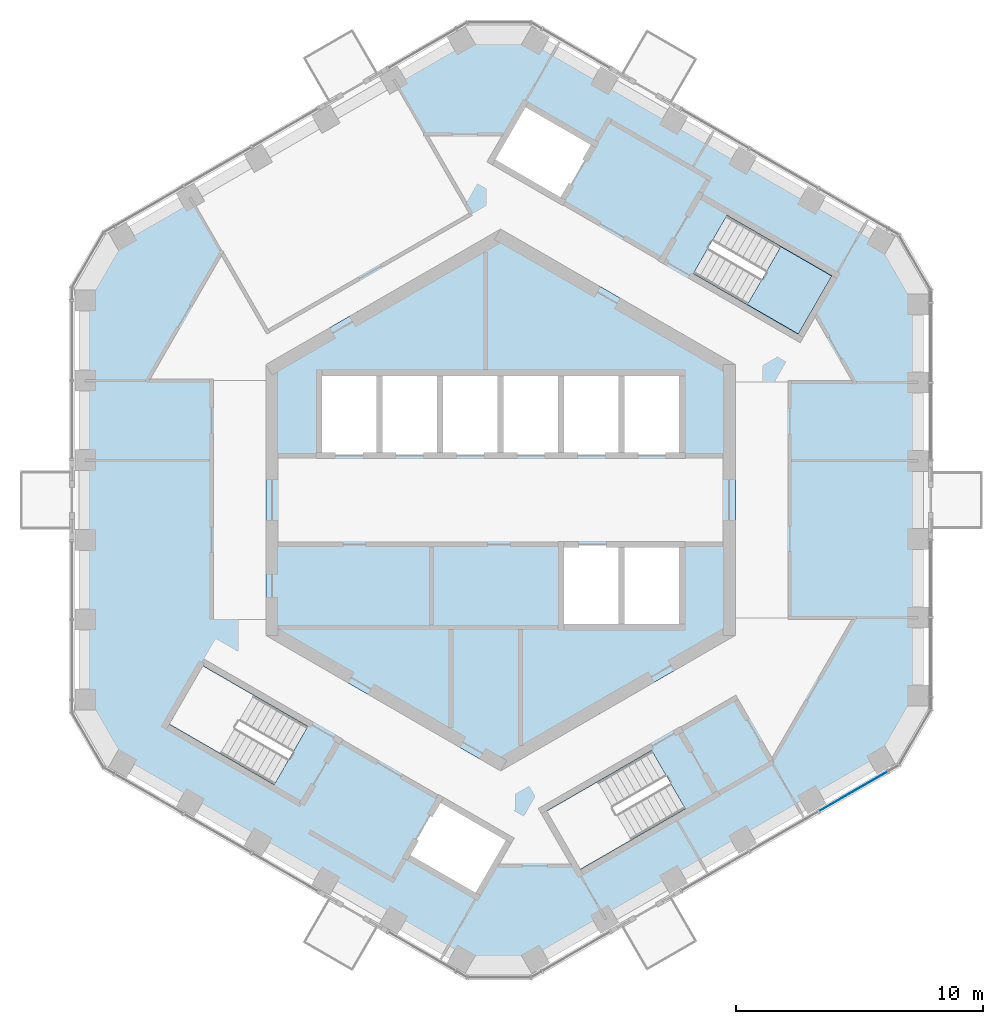
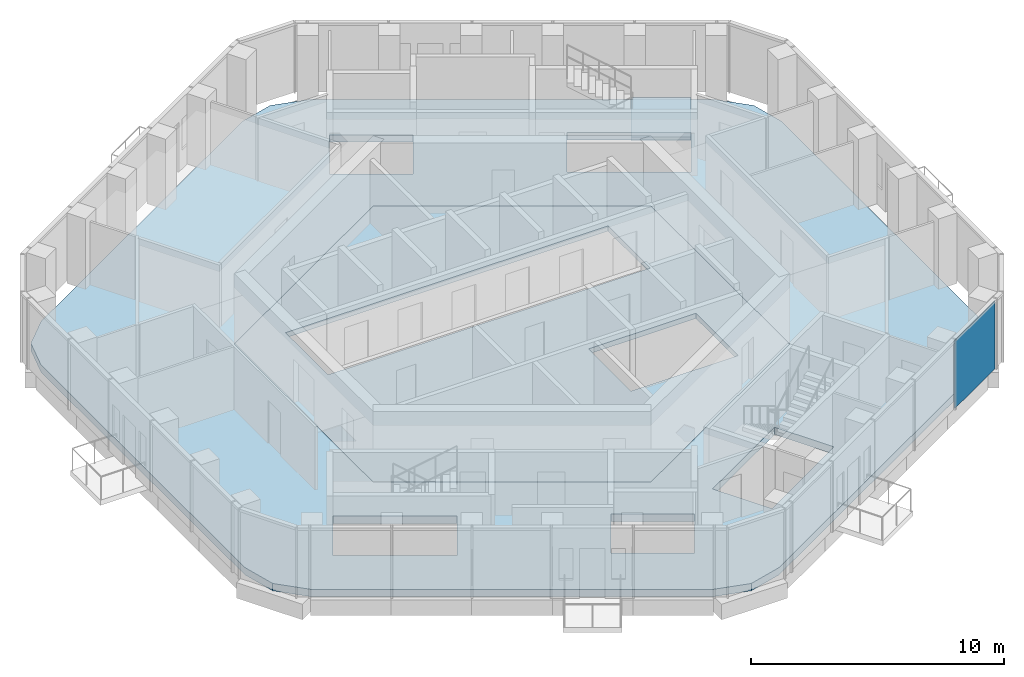
# One storey, part 10 of 19: 3 slabs, 1 plate, 2 elements without a shape of their own.
"""IFC4 building model written with IfcOpenShell, lengths in metres."""

from ifc_helpers import new_model, si_unit, direction, frame, origin, origin_2d, place, context, subcontext, project, spatial, polyline, rectangle, outline, extrude, material, layer, layer_set, type_object, element, aggregate, save


model = new_model("IFC4")

# Units and contexts
model_context = context("Model", 3, precision=1e-05, world=origin(), true_north=direction((0.0, 1.0)))
body_context = subcontext(model_context, "Body", "Model", "MODEL_VIEW")
ifc_project = project(units=[si_unit("LENGTHUNIT", "METRE"), si_unit("AREAUNIT", "SQUARE_METRE"), si_unit("VOLUMEUNIT", "CUBIC_METRE"), si_unit("PLANEANGLEUNIT", "RADIAN"), si_unit("MASSUNIT", "GRAM", prefix="KILO")], contexts=[model_context])

# Site, building, storey
site_placement = place(None, origin())
site = spatial("IfcSite", under=ifc_project, at=site_placement, CompositionType="ELEMENT")
building_placement = place(site_placement, origin())
building = spatial("IfcBuilding", under=site, at=building_placement, Name="Ayvan Gate Tower", CompositionType="ELEMENT")
storey_placement = place(building_placement, frame((0.0, 0.0, 222.300048828125)))
storey = spatial("IfcBuildingStorey", under=building, at=storey_placement, Name="L59", CompositionType="ELEMENT", Elevation=222.300048828125)

# Slabs
ifc_material_1 = material(Name="Concrete C40/50", Category="concrete")
ifc_layer_1 = layer(ifc_material_1, 0.35009765625)
ifc_layer_set_1 = layer_set([ifc_layer_1], Name="Concrete C40/50")
slab_type_1 = type_object("IfcSlabType", Name="Post-tensioned flat slab 350", PredefinedType="FLOOR", material=ifc_layer_set_1)
slab_1_placement = place(storey_placement, frame((0.0, 0.0, -0.35009765625)))
element("IfcSlab", 1, at=slab_1_placement, inside=storey, type_object=slab_type_1, Name="SL-L59", PredefinedType="FLOOR", context=body_context, shape_type="SweptSolid", body=[
    extrude(outline(polyline([(1.440673828125, -18.599609375), (-0.059326171875, -19.001708984375), (-1.559326171875, -18.599609375), (-15.328125, -10.650390625), (-16.42626953125, -9.55224609375), (-16.828125, -8.05224609375), (-16.828125, 8.05224609375), (-16.42626953125, 9.55224609375), (-15.328125, 10.650390625), (-1.559326171875, 18.599609375), (-0.059326171875, 19.001708984375), (1.440673828125, 18.599609375), (15.387451171875, 10.547607421875), (16.485595703125, 9.449462890625), (16.887451171875, 7.949462890625), (16.887451171875, -7.949462890625), (16.485595703125, -9.449462890625), (15.387451171875, -10.547607421875), (1.440673828125, -18.599609375)]), holes=[polyline([(12.049560546875, 6.720458984375), (13.404541015625, 9.0673828125), (9.1611328125, 11.517578125), (7.80615234375, 9.170654296875), (12.049560546875, 6.720458984375)]), polyline([(9.5, 5.48486328125), (0.0, 10.9697265625), (-9.5, 5.48486328125), (-9.5, -5.48486328125), (0.0, -10.9697265625), (9.5, -5.48486328125), (9.5, 5.48486328125)]), polyline([(1.873779296875, -12.595458984375), (3.228759765625, -14.9423828125), (7.472412109375, -12.492431640625), (6.117431640625, -10.1455078125), (1.873779296875, -12.595458984375)]), polyline([(3.822509765625, 14.420654296875), (0.964599609375, 16.07080078125), (-0.385498046875, 13.732421875), (2.472412109375, 12.08251953125), (3.822509765625, 14.420654296875)]), polyline([(-0.23193359375, -14.801513671875), (0.385498046875, -13.732421875), (-2.472412109375, -12.08251953125), (-3.822509765625, -14.420654296875), (-0.964599609375, -16.07080078125), (-0.23193359375, -14.801513671875)]), polyline([(-9.1611328125, -11.517578125), (-7.80615234375, -9.170654296875), (-12.049560546875, -6.720458984375), (-13.404541015625, -9.0673828125), (-9.1611328125, -11.517578125)])]), origin(), (0.0, 0.0, 1.0), 0.35009765625),
])
ifc_layer_2 = layer(ifc_material_1, 0.25)
ifc_layer_set_2 = layer_set([ifc_layer_2], Name="Concrete C40/50")
slab_type_2 = type_object("IfcSlabType", Name="SL-CORE-250", PredefinedType="FLOOR", material=ifc_layer_set_2)
slab_2_placement = place(storey_placement, frame((0.0, 0.0, -0.25)))
element("IfcSlab", 2, at=slab_2_placement, inside=storey, type_object=slab_type_2, Name="CS-L59", PredefinedType="FLOOR", context=body_context, shape_type="SweptSolid", body=[
    extrude(outline(polyline([(9.5, -5.48486328125), (0.0, -10.9697265625), (-9.5, -5.48486328125), (-9.5, 5.48486328125), (0.0, 10.9697265625), (9.5, 5.48486328125), (9.5, -5.48486328125)]), holes=[polyline([(-7.35009765625, 5.14990234375), (-7.35009765625, 1.800048828125), (7.35009765625, 1.800048828125), (7.35009765625, 5.14990234375), (-7.35009765625, 5.14990234375)]), polyline([(2.449951171875, -1.800048828125), (2.449951171875, -5.14990234375), (7.35009765625, -5.14990234375), (7.35009765625, -1.800048828125), (2.449951171875, -1.800048828125)])]), origin(), (0.0, 0.0, 1.0), 0.25),
])

# Stair, slab
stair_type = type_object("IfcStairType", Name="ST-EXIT", PredefinedType="HALF_TURN_STAIR", material=ifc_material_1)
stair_placement = place(storey_placement, origin())
stair = element("IfcStair", 3, at=stair_placement, inside=storey, type_object=stair_type, Name="L59 Exit Stair S1", PredefinedType="HALF_TURN_STAIR")
ifc_layer_3 = layer(ifc_material_1, 0.199951171875)
ifc_layer_set_3 = layer_set([ifc_layer_3], Name="Concrete C40/50")
slab_type_3 = type_object("IfcSlabType", Name="SL-LANDING-200", PredefinedType="LANDING", material=ifc_layer_set_3)
slab_3_placement = place(storey_placement, frame((0.0, 0.0, 1.5)))
slab_3 = element("IfcSlab", 4, at=slab_3_placement, type_object=slab_type_3, Name="STS1 landing 1", PredefinedType="LANDING", context=body_context, shape_type="SweptSolid", body=[
    extrude(outline(polyline([(9.988525390625, 7.91064453125), (12.049560546875, 6.720458984375), (13.404541015625, 9.0673828125), (11.343505859375, 10.257568359375), (9.988525390625, 7.91064453125)])), origin(), (0.0, 0.0, 1.0), 0.199951171875),
])
aggregate(stair, [slab_3])

# Curtain wall, plate
ifc_material_2 = material(Name="Bronze anodised aluminium", Category="aluminium")
ifc_layer_4 = layer(ifc_material_2, 0.199951171875)
ifc_layer_set_4 = layer_set([ifc_layer_4], Name="Bronze anodised aluminium")
curtain_wall_type = type_object("IfcCurtainWallType", Name="Stick curtain wall CW-2", PredefinedType="NOTDEFINED", material=ifc_layer_set_4)
curtain_wall_placement = place(storey_placement, origin())
curtain_wall = element("IfcCurtainWall", 5, at=curtain_wall_placement, inside=storey, type_object=curtain_wall_type, Name="Stick curtain wall CW-2 L59", PredefinedType="NOTDEFINED")
ifc_material_3 = material(Name="Clear low-iron laminated glass", Category="glass")
ifc_layer_5 = layer(ifc_material_3, 0.028076171875)
ifc_layer_set_5 = layer_set([ifc_layer_5], Name="Clear low-iron laminated glass")
plate_type = type_object("IfcPlateType", Name="Stick curtain wall CW-2 glass panel", PredefinedType="CURTAIN_PANEL", material=ifc_layer_set_5)
plate_placement = place(storey_placement, frame((14.289794921875, -11.78759765625, 0.0), z_axis=(0.0, 0.0, 1.0), x_axis=(0.866025403784, 0.5, 0.0)))
plate = element("IfcPlate", 6, at=plate_placement, type_object=plate_type, Name="CW-2 glass panel 3", PredefinedType="CURTAIN_PANEL", context=body_context, shape_type="SweptSolid", body=[
    extrude(rectangle(XDim=3.209716796875, YDim=0.028076171875, at=origin_2d()), origin(), (0.0, 0.0, 1.0), 3.280029296875),
])
aggregate(curtain_wall, [plate])

save(model, "model.ifc")
